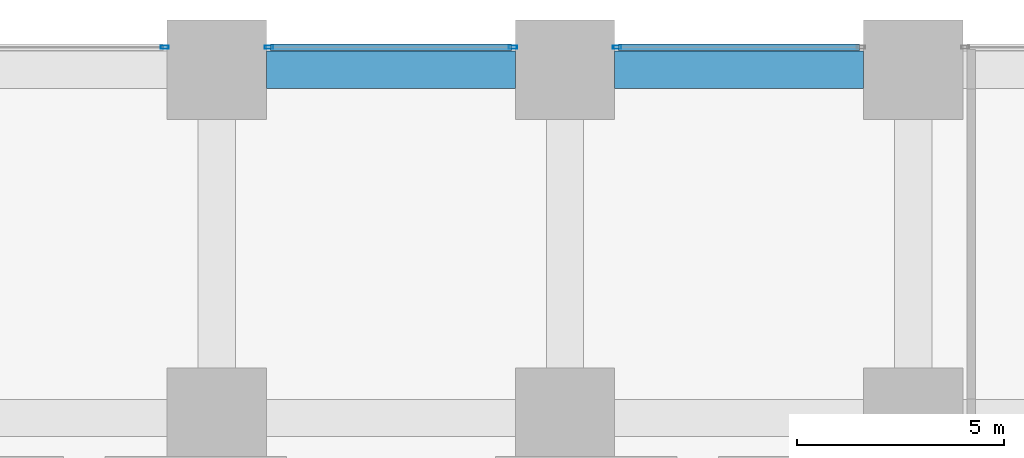
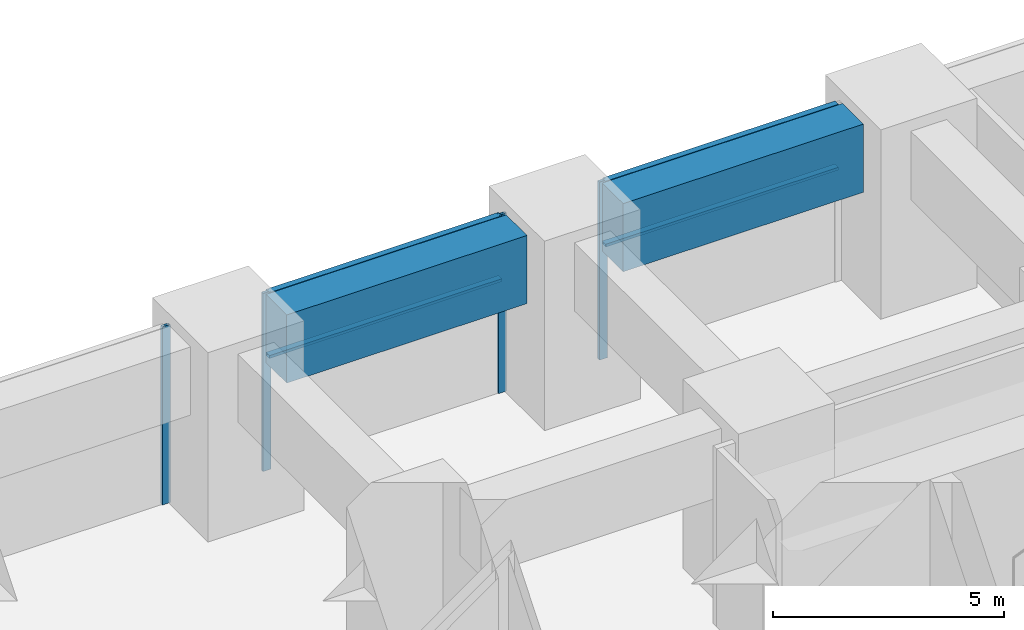
# One storey, part 27 of 48: 8 members, 2 beams, 3 elements without a shape of their own.
"""IFC4 building model written with IfcOpenShell, lengths in metres."""

from ifc_helpers import new_model, si_unit, direction, frame, origin, origin_2d, place, context, subcontext, project, spatial, rectangle, hollow_rectangle, extrude, material, material_profile, profile_set, type_object, element, aggregate, save


model = new_model("IFC4")

# Units and contexts
model_context = context("Model", 3, precision=1e-05, world=origin(), true_north=direction((0.0, 1.0)))
body_context = subcontext(model_context, "Body", "Model", "MODEL_VIEW")
ifc_project = project(units=[si_unit("LENGTHUNIT", "METRE"), si_unit("AREAUNIT", "SQUARE_METRE"), si_unit("VOLUMEUNIT", "CUBIC_METRE"), si_unit("PLANEANGLEUNIT", "RADIAN"), si_unit("MASSUNIT", "GRAM", prefix="KILO")], contexts=[model_context])

# Site, building, storey
site_placement = place(None, origin())
site = spatial("IfcSite", under=ifc_project, at=site_placement, CompositionType="ELEMENT")
building_placement = place(site_placement, origin())
building = spatial("IfcBuilding", under=site, at=building_placement, Name="Rekha Terrace Tower", CompositionType="ELEMENT")
storey_placement = place(building_placement, frame((0.0, 0.0, 15.39990234375)))
storey = spatial("IfcBuildingStorey", under=building, at=storey_placement, Name="L03", CompositionType="ELEMENT", Elevation=15.39990234375)

# Curtain wall, member
ifc_material_1 = material(Name="Aluminium framing", Category="aluminium")
curtain_wall_type = type_object("IfcCurtainWallType", Name="CW4 podium shopfront glazing", PredefinedType="USERDEFINED", material=ifc_material_1)
curtain_wall_1_placement = place(storey_placement, origin())
curtain_wall_1 = element("IfcCurtainWall", 1, at=curtain_wall_1_placement, inside=storey, type_object=curtain_wall_type, Name="CW4 shopfront curtain wall", ObjectType="SHOPFRONT CURTAIN WALL", PredefinedType="USERDEFINED")
ifc_material_2 = material(Name="Aluminium mullion section", Category="aluminium")
ifc_material_profile_1 = material_profile(ifc_material_2, hollow_rectangle(XDim=0.074951171875, YDim=0.199951171875, WallThickness=0.00390625, at=origin_2d()), Name="AL RHS 75x200")
ifc_profile_set_1 = profile_set([ifc_material_profile_1], Name="Aluminium mullion section")
member_type_1 = type_object("IfcMemberType", Name="CW4 mullion RHS 75 x 200", PredefinedType="MULLION", material=ifc_profile_set_1)
member_1_placement = place(storey_placement, frame((43.257568359375, 59.340087890625, 0.0), z_axis=(0.0, 0.0, 1.0), x_axis=(0.0, -1.0, 0.0)))
member_1 = element("IfcMember", 2, at=member_1_placement, type_object=member_type_1, Name="CW4 mullion 2", PredefinedType="MULLION", context=body_context, shape_type="SweptSolid", body=[
    extrude(hollow_rectangle(XDim=0.074951171875, YDim=0.199951171875, WallThickness=0.00390625, at=origin_2d()), origin(), (0.0, 0.0, 1.0), 4.7001953125),
])

# Curtain wall, members
curtain_wall_2_placement = place(storey_placement, origin())
curtain_wall_2 = element("IfcCurtainWall", 3, at=curtain_wall_2_placement, inside=storey, type_object=curtain_wall_type, Name="CW4 shopfront curtain wall", ObjectType="SHOPFRONT CURTAIN WALL", PredefinedType="USERDEFINED")
member_2_placement = place(storey_placement, frame((40.742431640625, 59.340087890625, 0.0), z_axis=(0.0, 0.0, 1.0), x_axis=(0.0, -1.0, 0.0)))
member_2 = element("IfcMember", 4, at=member_2_placement, type_object=member_type_1, Name="CW4 mullion 1", PredefinedType="MULLION", context=body_context, shape_type="SweptSolid", body=[
    extrude(hollow_rectangle(XDim=0.074951171875, YDim=0.199951171875, WallThickness=0.00390625, at=origin_2d()), origin(), (0.0, 0.0, 1.0), 4.7001953125),
])
member_3_placement = place(storey_placement, frame((34.857421875, 59.340087890625, 0.0), z_axis=(0.0, 0.0, 1.0), x_axis=(0.0, -1.0, 0.0)))
member_3 = element("IfcMember", 5, at=member_3_placement, type_object=member_type_1, Name="CW4 mullion 2", PredefinedType="MULLION", context=body_context, shape_type="SweptSolid", body=[
    extrude(hollow_rectangle(XDim=0.074951171875, YDim=0.199951171875, WallThickness=0.00390625, at=origin_2d()), origin(), (0.0, 0.0, 1.0), 4.7001953125),
])

# Curtain wall, member
curtain_wall_3_placement = place(storey_placement, origin())
curtain_wall_3 = element("IfcCurtainWall", 6, at=curtain_wall_3_placement, inside=storey, type_object=curtain_wall_type, Name="CW4 shopfront curtain wall", ObjectType="SHOPFRONT CURTAIN WALL", PredefinedType="USERDEFINED")
member_4_placement = place(storey_placement, frame((32.342529296875, 59.340087890625, 0.0), z_axis=(0.0, 0.0, 1.0), x_axis=(0.0, -1.0, 0.0)))
member_4 = element("IfcMember", 7, at=member_4_placement, type_object=member_type_1, Name="CW4 mullion 1", PredefinedType="MULLION", context=body_context, shape_type="SweptSolid", body=[
    extrude(hollow_rectangle(XDim=0.074951171875, YDim=0.199951171875, WallThickness=0.00390625, at=origin_2d()), origin(), (0.0, 0.0, 1.0), 4.7001953125),
])
aggregate(curtain_wall_3, [member_4])

# Member
ifc_material_3 = material(Name="Aluminium transom section", Category="aluminium")
ifc_material_profile_2 = material_profile(ifc_material_3, hollow_rectangle(XDim=0.14990234375, YDim=0.074951171875, WallThickness=0.0029296875, at=origin_2d()), Name="AL RHS 150x75")
ifc_profile_set_2 = profile_set([ifc_material_profile_2], Name="Aluminium transom section")
member_type_2 = type_object("IfcMemberType", Name="CW4 transom RHS 75 x 150", PredefinedType="USERDEFINED", material=ifc_profile_set_2)
member_5_placement = place(storey_placement, frame((49.10498046875, 59.340087890625, 3.0), z_axis=(-1.0, 0.0, 0.0), x_axis=(0.0, -1.0, 0.0)))
member_5 = element("IfcMember", 8, at=member_5_placement, type_object=member_type_2, Name="CW4 transom 1.2", ObjectType="TRANSOM", PredefinedType="USERDEFINED", context=body_context, shape_type="SweptSolid", body=[
    extrude(hollow_rectangle(XDim=0.14990234375, YDim=0.074951171875, WallThickness=0.0029296875, at=origin_2d()), origin(), (0.0, 0.0, 1.0), 5.81005859375),
])

member_6_placement = place(storey_placement, frame((49.10498046875, 59.340087890625, 4.66259765625), z_axis=(-1.0, 0.0, 0.0), x_axis=(0.0, -1.0, 0.0)))
member_6 = element("IfcMember", 9, at=member_6_placement, type_object=member_type_2, Name="CW4 transom 1.3", ObjectType="TRANSOM", PredefinedType="USERDEFINED", context=body_context, shape_type="SweptSolid", body=[
    extrude(hollow_rectangle(XDim=0.14990234375, YDim=0.074951171875, WallThickness=0.0029296875, at=origin_2d()), origin(), (0.0, 0.0, 1.0), 5.81005859375),
])

aggregate(curtain_wall_1, [member_1, member_5, member_6])

member_7_placement = place(storey_placement, frame((40.705078125, 59.340087890625, 3.0), z_axis=(-1.0, 0.0, 0.0), x_axis=(0.0, -1.0, 0.0)))
member_7 = element("IfcMember", 10, at=member_7_placement, type_object=member_type_2, Name="CW4 transom 1.2", ObjectType="TRANSOM", PredefinedType="USERDEFINED", context=body_context, shape_type="SweptSolid", body=[
    extrude(hollow_rectangle(XDim=0.14990234375, YDim=0.074951171875, WallThickness=0.0029296875, at=origin_2d()), origin(), (0.0, 0.0, 1.0), 5.81005859375),
])

member_8_placement = place(storey_placement, frame((40.705078125, 59.340087890625, 4.66259765625), z_axis=(-1.0, 0.0, 0.0), x_axis=(0.0, -1.0, 0.0)))
member_8 = element("IfcMember", 11, at=member_8_placement, type_object=member_type_2, Name="CW4 transom 1.3", ObjectType="TRANSOM", PredefinedType="USERDEFINED", context=body_context, shape_type="SweptSolid", body=[
    extrude(hollow_rectangle(XDim=0.14990234375, YDim=0.074951171875, WallThickness=0.0029296875, at=origin_2d()), origin(), (0.0, 0.0, 1.0), 5.81005859375),
])

aggregate(curtain_wall_2, [member_2, member_3, member_7, member_8])

# Beams
ifc_material_4 = material(Name="Concrete M60", Category="concrete")
ifc_material_profile_3 = material_profile(ifc_material_4, rectangle(XDim=0.89990234375, YDim=1.800048828125, at=origin_2d()), Name="RC 900x1800")
ifc_profile_set_3 = profile_set([ifc_material_profile_3], Name="Concrete M60")
beam_type = type_object("IfcBeamType", Name="G1 900x1800 podium floor beam", PredefinedType="BEAM", material=ifc_profile_set_3)
for number, where, z_axis, x_axis, name in (
    (12, (34.800048828125, 58.800048828125, 3.800048828125), (1.0, 0.0, 0.0), (0.0, 1.0, 0.0), "Beam G1 5H-6H under L04"),
    (13, (43.199951171875, 58.800048828125, 3.800048828125), (1.0, 0.0, 0.0), (0.0, 1.0, 0.0), "Beam G1 6H-7H under L04"),
):
    element("IfcBeam", number, at=place(storey_placement, frame(where, z_axis=z_axis, x_axis=x_axis)), inside=storey, type_object=beam_type, Name=name, PredefinedType="BEAM", context=body_context, shape_type="SweptSolid", body=[
        extrude(rectangle(XDim=0.89990234375, YDim=1.800048828125, at=origin_2d()), origin(), (0.0, 0.0, 1.0), 6.0),
    ])

save(model, "model.ifc")
